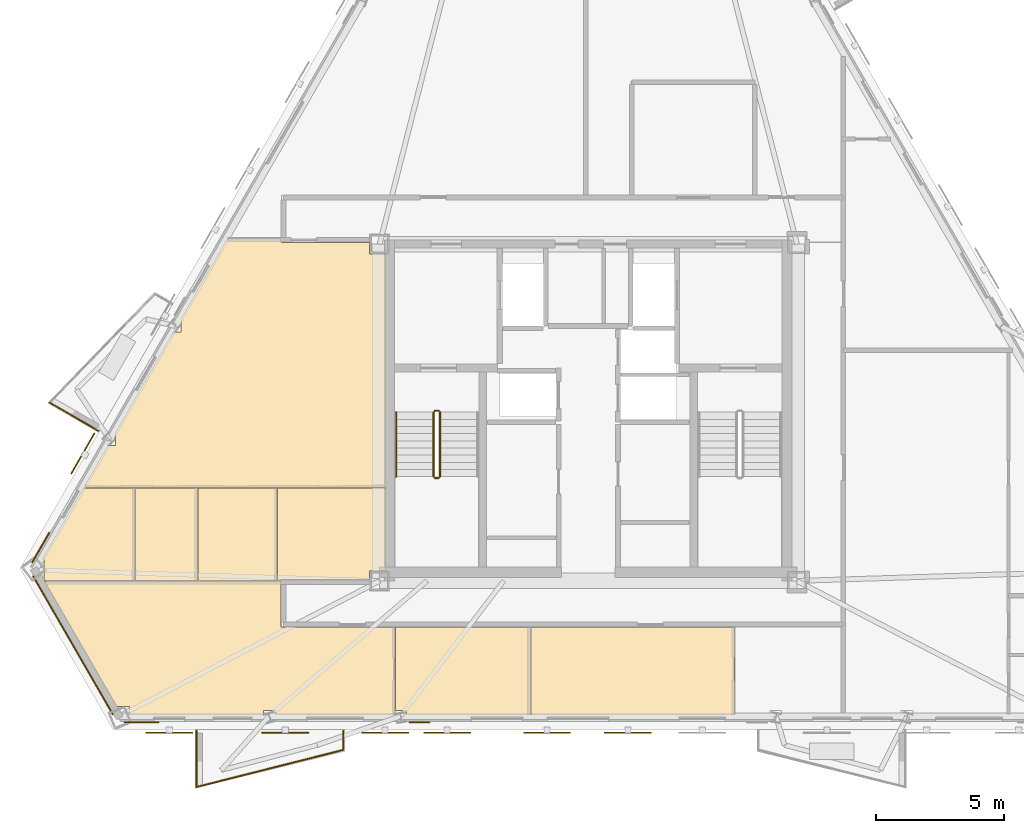
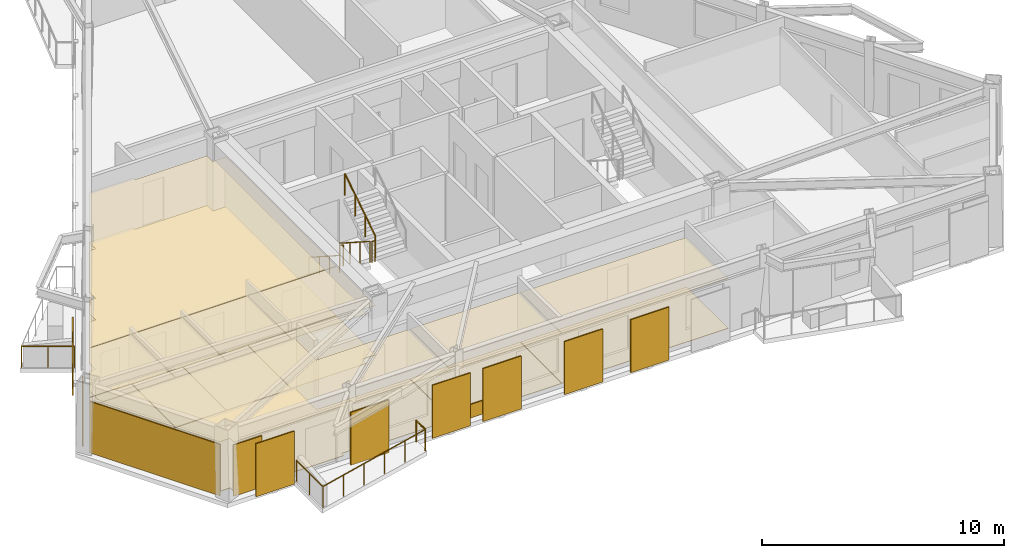
# One storey, part 6 of 8: 20 coverings, 9 railings, 7 shading devices.
"""IFC4 building model written with IfcOpenShell, lengths in metres."""

import ifcopenshell
import ifcopenshell.guid

model = None  # the IFC model being written
_history = None  # IfcOwnerHistory: only IFC2X3 demands one
_inside = {}  # id of a spatial element -> (the spatial element, [elements in it])
_under = {}  # id of a project, library or spatial element -> (it, [spatial elements below it])
_declared = {}  # id of a project -> (the project, [libraries it declares])
_typed = {}  # id of a type object -> (the type object, [elements of that type])
_made_of = {}  # id of a material, layer set ... -> (it, [elements and type objects made of it])


def new_model(schema):
    """Start an empty IFC model of exactly this schema.

    Asked for "IFC4X3", IfcOpenShell would pick the latest addendum, in which some entities
    have other attributes; the version numbers below select the first issue.
    IFC2X3 requires an IfcOwnerHistory on every rooted entity: one is made here for all.
    """
    global model, _history
    if schema == "IFC4X3":
        model = ifcopenshell.file(schema_version=(4, 3, 0, 0))
    else:
        model = ifcopenshell.file(schema=schema)
    _inside.clear()
    _under.clear()
    _declared.clear()
    _typed.clear()
    _made_of.clear()
    _history = None
    if model.schema == "IFC2X3":
        org = make("IfcOrganization", Name="unknown")
        user = make(
            "IfcPersonAndOrganization",
            ThePerson=make("IfcPerson", FamilyName="unknown"),
            TheOrganization=org,
        )
        app = make(
            "IfcApplication",
            ApplicationDeveloper=org,
            Version="unknown",
            ApplicationFullName="unknown",
            ApplicationIdentifier="unknown",
        )
        _history = make(
            "IfcOwnerHistory",
            OwningUser=user,
            OwningApplication=app,
            ChangeAction="ADDED",
            CreationDate=0,
        )
    return model


def make(cls, **values):
    """One entity of the class cls with the attributes given. An attribute that is None is left unset."""
    return model.create_entity(
        cls, **{name: value for name, value in values.items() if value is not None}
    )


def rooted(cls, **values):
    """An entity with a GlobalId (a new one), such as an element, a storey or a relation."""
    return make(cls, GlobalId=ifcopenshell.guid.new(), OwnerHistory=_history, **values)


def si_unit(unit_type, name, prefix=None):
    """IfcSIUnit, for example si_unit("LENGTHUNIT", "METRE", prefix="MILLI")."""
    return make("IfcSIUnit", UnitType=unit_type, Prefix=prefix, Name=name)


def assignment(units):
    """IfcUnitAssignment: the units of a project."""
    return None if units is None else make("IfcUnitAssignment", Units=units)


def point(xyz):
    """IfcCartesianPoint."""
    return None if xyz is None else make("IfcCartesianPoint", Coordinates=xyz)


def direction(xyz):
    """IfcDirection."""
    return None if xyz is None else make("IfcDirection", DirectionRatios=xyz)


def frame(location, z_axis=None, x_axis=None):
    """IfcAxis2Placement3D, a coordinate frame: its origin and axes. An axis left out is left unset."""
    return make(
        "IfcAxis2Placement3D",
        Location=point(location),
        Axis=direction(z_axis),
        RefDirection=direction(x_axis),
    )


def frame_2d(location, x_axis=None):
    """IfcAxis2Placement2D, a coordinate frame in the plane: its origin and x axis."""
    return make(
        "IfcAxis2Placement2D", Location=point(location), RefDirection=direction(x_axis)
    )


def origin():
    """The frame at (0, 0, 0) with its axes left unset."""
    return frame((0.0, 0.0, 0.0))


def origin_2d():
    """The frame at (0, 0) in the plane with its x axis left unset."""
    return frame_2d((0.0, 0.0))


def place(relative_to, where):
    """IfcLocalPlacement: puts the frame where relative to a parent placement (None: the world)."""
    return make(
        "IfcLocalPlacement", PlacementRelTo=relative_to, RelativePlacement=where
    )


def context(
    kind, dimensions, precision=None, world=None, true_north=None, identifier=None
):
    """IfcGeometricRepresentationContext, for example the 3D "Model" context."""
    return make(
        "IfcGeometricRepresentationContext",
        ContextIdentifier=identifier,
        ContextType=kind,
        CoordinateSpaceDimension=dimensions,
        Precision=precision,
        WorldCoordinateSystem=world,
        TrueNorth=true_north,
    )


def subcontext(parent, identifier, kind, view, scale=None):
    """IfcGeometricRepresentationSubContext, for example "Body" below "Model"."""
    return make(
        "IfcGeometricRepresentationSubContext",
        ContextIdentifier=identifier,
        ContextType=kind,
        ParentContext=parent,
        TargetScale=scale,
        TargetView=view,
    )


def project(units=None, contexts=None):
    """IfcProject with its units and contexts."""
    return rooted(
        "IfcProject",
        Name="project",
        RepresentationContexts=contexts,
        UnitsInContext=assignment(units),
    )


def spatial(cls, under=None, at=None, **own):
    """A site, building, storey or space (cls), placed at a placement, below another one or the project."""
    s = rooted(cls, ObjectPlacement=at, **own)
    if under is not None:
        _under.setdefault(under.id(), (under, []))[1].append(s)
    return s


def polyline(points):
    """IfcPolyline through the points."""
    return make("IfcPolyline", Points=[point(p) for p in points])


def profile(cls, at=None, kind="AREA", **sizes):
    """A parametric profile (cls). Its sizes go by their IFC names, for example OverallWidth=200.0."""
    return make(cls, ProfileType=kind, Position=at, **sizes)


def rectangle(**sizes):
    """IfcRectangleProfileDef."""
    return profile("IfcRectangleProfileDef", **sizes)


def circle(**sizes):
    """IfcCircleProfileDef."""
    return profile("IfcCircleProfileDef", **sizes)


def outline(outer, holes=None, kind="AREA"):
    """IfcArbitraryClosedProfileDef: a profile drawn as a closed curve; with holes, ...WithVoids."""
    if holes is None:
        return make("IfcArbitraryClosedProfileDef", ProfileType=kind, OuterCurve=outer)
    return make(
        "IfcArbitraryProfileDefWithVoids",
        ProfileType=kind,
        OuterCurve=outer,
        InnerCurves=holes,
    )


def extrude(swept, where, along, depth):
    """IfcExtrudedAreaSolid: the profile swept, set in the frame where, extruded along a direction by depth."""
    return make(
        "IfcExtrudedAreaSolid",
        SweptArea=swept,
        Position=where,
        ExtrudedDirection=direction(along),
        Depth=depth,
    )


def shape(context_of_items, identifier, shape_type, items):
    """IfcShapeRepresentation: the items that make up one representation, for example the "Body"."""
    return make(
        "IfcShapeRepresentation",
        ContextOfItems=context_of_items,
        RepresentationIdentifier=identifier,
        RepresentationType=shape_type,
        Items=items,
    )


def material(Name=None, Category=None):
    """IfcMaterial."""
    return make("IfcMaterial", Name=Name, Category=Category)


def layer(
    of_material, thickness, ventilated=None, Name=None, Category=None, Priority=None
):
    """IfcMaterialLayer: one layer of a wall or slab, of a material (None: an air gap)."""
    return make(
        "IfcMaterialLayer",
        Material=of_material,
        LayerThickness=thickness,
        IsVentilated=ventilated,
        Name=Name,
        Category=Category,
        Priority=Priority,
    )


def layer_set(layers, Name=None):
    """IfcMaterialLayerSet."""
    return make("IfcMaterialLayerSet", MaterialLayers=layers, LayerSetName=Name)


def made_of(thing, what):
    """Note that an element or type object is made of a material, layer set ...; save() writes the relation."""
    if what is not None:
        _made_of.setdefault(what.id(), (what, []))[1].append(thing)
    return thing


def type_object(cls, material=None, **own):
    """A type object (cls), such as IfcWallType, which elements share."""
    return made_of(rooted(cls, **own), material)


def element(
    cls,
    number,
    at=None,
    inside=None,
    cuts=None,
    type_object=None,
    material=None,
    context=None,
    identifier="Body",
    shape_type=None,
    held_by="IfcProductDefinitionShape",
    body=None,
    shapes=None,
    **own,
):
    """One element of the class cls, such as IfcWall. Its Tag is "e" and its number.

    at: its placement. inside: the storey or other place that contains it. cuts: it is an
    opening in that element (IfcRelVoidsElement). A single representation is given by context,
    identifier, shape_type and body (its items); several are given by shapes. held_by: the class
    of the entity that holds the representations. save() writes the other relations.
    """
    e = rooted(cls, Tag="e%d" % number, ObjectPlacement=at, **own)
    if body is not None:
        shapes = [shape(context, identifier, shape_type, body)]
    if shapes is not None:
        e.Representation = make(held_by, Representations=shapes)
    if inside is not None:
        _inside.setdefault(inside.id(), (inside, []))[1].append(e)
    if cuts is not None:
        rooted(
            "IfcRelVoidsElement", RelatingBuildingElement=cuts, RelatedOpeningElement=e
        )
    if type_object is not None:
        _typed.setdefault(type_object.id(), (type_object, []))[1].append(e)
    return made_of(e, material)


def aggregate(whole, parts):
    """IfcRelAggregates: a whole, such as a stair, and the parts it consists of."""
    return rooted("IfcRelAggregates", RelatingObject=whole, RelatedObjects=parts)


def save(model, path):
    """Write the relations noted so far, then the file.

    IfcRelAggregates (storeys below a building ...), IfcRelContainedInSpatialStructure (elements
    in a storey), IfcRelDefinesByType, IfcRelAssociatesMaterial and IfcRelDeclares: one each for
    every whole, place, type object, material and project.
    """
    for whole, parts in _under.values():
        aggregate(whole, parts)
    for where, things in _inside.values():
        rooted(
            "IfcRelContainedInSpatialStructure",
            RelatedElements=things,
            RelatingStructure=where,
        )
    for kind, things in _typed.values():
        rooted("IfcRelDefinesByType", RelatedObjects=things, RelatingType=kind)
    for what, things in _made_of.values():
        rooted("IfcRelAssociatesMaterial", RelatedObjects=things, RelatingMaterial=what)
    for by, libraries in _declared.values():
        rooted("IfcRelDeclares", RelatingContext=by, RelatedDefinitions=libraries)
    model.write(path)


model = new_model("IFC4")

# Units and contexts
model_context = context("Model", 3, precision=1e-05, world=origin(), true_north=direction((0.0, 1.0)))
body_context = subcontext(model_context, "Body", "Model", "MODEL_VIEW")
ifc_project = project(units=[si_unit("LENGTHUNIT", "METRE"), si_unit("AREAUNIT", "SQUARE_METRE"), si_unit("VOLUMEUNIT", "CUBIC_METRE"), si_unit("PLANEANGLEUNIT", "RADIAN"), si_unit("MASSUNIT", "GRAM", prefix="KILO")], contexts=[model_context])

# Site, building, storey
site_placement = place(None, origin())
site = spatial("IfcSite", under=ifc_project, at=site_placement, CompositionType="ELEMENT")
building_placement = place(site_placement, origin())
building = spatial("IfcBuilding", under=site, at=building_placement, Name="Oramaril Tower", CompositionType="ELEMENT")
storey_placement = place(building_placement, frame((0.0, 0.0, 216.300048828125)))
storey = spatial("IfcBuildingStorey", under=building, at=storey_placement, Name="L57", CompositionType="ELEMENT", Elevation=216.300048828125)

# Coverings
ifc_material_1 = material(Name="Mineral Fibre Acoustic Ceiling")
ifc_layer_1 = layer(ifc_material_1, 0.02001953125)
ifc_layer_set_1 = layer_set([ifc_layer_1], Name="CVT-CEIL")
covering_type_1 = type_object("IfcCoveringType", Name="CVT-CEIL", PredefinedType="CEILING", material=ifc_layer_set_1)
covering_1_placement = place(storey_placement, frame((0.0, 0.0, 2.511962890625)))
element("IfcCovering", 1, at=covering_1_placement, inside=storey, type_object=covering_type_1, Name="L57 Acoustic Suspended Ceiling 5", PredefinedType="CEILING", context=body_context, shape_type="SweptSolid", body=[
    extrude(outline(polyline([(29.95703125, 5.9375), (29.953857421875, 5.9375), (29.953857421875, 5.759765625), (25.28271484375, 5.759765625), (25.28271484375, 5.9375), (24.8251953125, 5.9375), (24.8251953125, 5.759765625), (19.580810546875, 5.759765625), (19.580810546875, 6.088134765625), (19.08349609375, 6.088134765625), (16.252197265625, 10.991943359375), (25.5, 10.991943359375), (25.5, 9.219970703125), (25.5, 9.218017578125), (25.50048828125, 9.216064453125), (25.5009765625, 9.214111328125), (25.50146484375, 9.21240234375), (25.50244140625, 9.210693359375), (25.50341796875, 9.208984375), (25.50439453125, 9.207275390625), (25.505859375, 9.205810546875), (25.50732421875, 9.20458984375), (25.5087890625, 9.203369140625), (25.510498046875, 9.202392578125), (25.51220703125, 9.201416015625), (25.51416015625, 9.200927734375), (25.51611328125, 9.200439453125), (25.51806640625, 9.2001953125), (25.52001953125, 9.199951171875), (29.95703125, 9.199951171875), (29.95703125, 5.9375)])), origin(), (0.0, 0.0, 1.0), 0.02001953125),
])
covering_2_placement = place(storey_placement, frame((0.0, 0.0, 2.511962890625)))
element("IfcCovering", 2, at=covering_2_placement, inside=storey, type_object=covering_type_1, Name="L57 Acoustic Suspended Ceiling 6", PredefinedType="CEILING", context=body_context, shape_type="SweptSolid", body=[
    extrude(outline(polyline([(30.40380859375, 5.759765625), (30.40380859375, 5.9375), (29.97705078125, 5.9375), (29.97705078125, 9.199951171875), (35.241943359375, 9.199951171875), (35.241943359375, 5.759765625), (30.40380859375, 5.759765625)])), origin(), (0.0, 0.0, 1.0), 0.02001953125),
])
covering_3_placement = place(storey_placement, frame((0.0, 0.0, 2.511962890625)))
element("IfcCovering", 3, at=covering_3_placement, inside=storey, type_object=covering_type_1, Name="L57 Acoustic Suspended Ceiling 7", PredefinedType="CEILING", context=body_context, shape_type="SweptSolid", body=[
    extrude(outline(polyline([(35.261962890625, 5.759765625), (35.261962890625, 9.199951171875), (43.20458984375, 9.199951171875), (43.20458984375, 5.759765625), (35.261962890625, 5.759765625)])), origin(), (0.0, 0.0, 1.0), 0.02001953125),
])
covering_4_placement = place(storey_placement, frame((0.0, 0.0, 2.511962890625)))
element("IfcCovering", 4, at=covering_4_placement, inside=storey, type_object=covering_type_1, Name="L57 Acoustic Suspended Ceiling 9", PredefinedType="CEILING", context=body_context, shape_type="SweptSolid", body=[
    extrude(outline(polyline([(28.955078125, 23.7548828125), (29.60009765625, 23.7548828125), (29.60009765625, 14.651611328125), (17.795654296875, 14.651611328125), (18.738525390625, 16.28466796875), (19.036865234375, 16.28466796875), (19.036865234375, 16.773193359375), (19.0205078125, 16.773193359375), (21.302734375, 20.726318359375), (21.60107421875, 20.726318359375), (21.60107421875, 21.2080078125), (21.5810546875, 21.2080078125), (23.40185546875, 24.362060546875), (25.5, 24.362060546875), (25.5, 24.239990234375), (25.5, 24.238037109375), (25.50048828125, 24.236083984375), (25.5009765625, 24.234130859375), (25.50146484375, 24.232421875), (25.50244140625, 24.230712890625), (25.50341796875, 24.22900390625), (25.50439453125, 24.227294921875), (25.505859375, 24.225830078125), (25.50732421875, 24.224609375), (25.5087890625, 24.223388671875), (25.510498046875, 24.222412109375), (25.51220703125, 24.221435546875), (25.51416015625, 24.220947265625), (25.51611328125, 24.220458984375), (25.51806640625, 24.22021484375), (25.52001953125, 24.219970703125), (28.955078125, 24.219970703125), (28.955078125, 23.7548828125)])), origin(), (0.0, 0.0, 1.0), 0.02001953125),
])
covering_5_placement = place(storey_placement, frame((0.0, 0.0, 2.511962890625)))
element("IfcCovering", 5, at=covering_5_placement, inside=storey, type_object=covering_type_1, Name="L57 Acoustic Suspended Ceiling 10", PredefinedType="CEILING", context=body_context, shape_type="SweptSolid", body=[
    extrude(outline(polyline([(16.214111328125, 11.05810546875), (16.256591796875, 11.05810546875), (16.256591796875, 11.855224609375), (16.18115234375, 11.855224609375), (17.78564453125, 14.63427734375), (17.7861328125, 14.634033203125), (17.787841796875, 14.63330078125), (17.789794921875, 14.632568359375), (17.791748046875, 14.632080078125), (17.793701171875, 14.631591796875), (17.795654296875, 14.631591796875), (19.80029296875, 14.631591796875), (19.80029296875, 11.011962890625), (16.252197265625, 11.011962890625), (16.250244140625, 11.011962890625), (16.248291015625, 11.01171875), (16.246337890625, 11.010986328125), (16.244384765625, 11.010498046875), (16.24267578125, 11.009521484375), (16.2421875, 11.00927734375), (16.214111328125, 11.05810546875)])), origin(), (0.0, 0.0, 1.0), 0.02001953125),
])
covering_6_placement = place(storey_placement, frame((0.0, 0.0, 2.511962890625)))
element("IfcCovering", 6, at=covering_6_placement, inside=storey, type_object=covering_type_1, Name="L57 Acoustic Suspended Ceiling 11", PredefinedType="CEILING", context=body_context, shape_type="SweptSolid", body=[
    extrude(outline(polyline([(22.2373046875, 11.011962890625), (19.8203125, 11.011962890625), (19.8203125, 14.631591796875), (22.2373046875, 14.631591796875), (22.2373046875, 11.011962890625)])), origin(), (0.0, 0.0, 1.0), 0.02001953125),
])
covering_7_placement = place(storey_placement, frame((0.0, 0.0, 2.511962890625)))
element("IfcCovering", 7, at=covering_7_placement, inside=storey, type_object=covering_type_1, Name="L57 Acoustic Suspended Ceiling 12", PredefinedType="CEILING", context=body_context, shape_type="SweptSolid", body=[
    extrude(outline(polyline([(25.3515625, 11.011962890625), (22.25732421875, 11.011962890625), (22.25732421875, 14.631591796875), (25.3515625, 14.631591796875), (25.3515625, 11.011962890625)])), origin(), (0.0, 0.0, 1.0), 0.02001953125),
])
covering_8_placement = place(storey_placement, frame((0.0, 0.0, 2.511962890625)))
element("IfcCovering", 8, at=covering_8_placement, inside=storey, type_object=covering_type_1, Name="L57 Acoustic Suspended Ceiling 13", PredefinedType="CEILING", context=body_context, shape_type="SweptSolid", body=[
    extrude(outline(polyline([(29.60009765625, 11.39501953125), (28.955078125, 11.39501953125), (28.955078125, 11.050048828125), (25.52001953125, 11.050048828125), (25.51806640625, 11.0498046875), (25.51611328125, 11.049560546875), (25.51416015625, 11.049072265625), (25.51220703125, 11.048583984375), (25.510498046875, 11.047607421875), (25.5087890625, 11.046630859375), (25.50732421875, 11.04541015625), (25.505859375, 11.044189453125), (25.50439453125, 11.042724609375), (25.50341796875, 11.041015625), (25.50244140625, 11.039306640625), (25.50146484375, 11.03759765625), (25.5009765625, 11.035888671875), (25.50048828125, 11.033935546875), (25.5, 11.031982421875), (25.5, 11.030029296875), (25.5, 11.011962890625), (25.37158203125, 11.011962890625), (25.37158203125, 14.631591796875), (29.60009765625, 14.631591796875), (29.60009765625, 11.39501953125)])), origin(), (0.0, 0.0, 1.0), 0.02001953125),
])
ifc_material_2 = material(Name="Warm Cream Limestone", Category="masonry")
ifc_layer_2 = layer(ifc_material_2, 0.050048828125)
ifc_layer_set_2 = layer_set([ifc_layer_2], Name="CVT-CLD")
covering_type_2 = type_object("IfcCoveringType", Name="CVT-CLD", PredefinedType="CLADDING", material=ifc_layer_set_2)
covering_9_placement = place(storey_placement, frame((17.38134765625, 8.484619140625, 0.0400390625), z_axis=(0.0, 0.0, 1.0), x_axis=(0.499992442484, -0.866029767075, 0.0)))
element("IfcCovering", 9, at=covering_9_placement, inside=storey, type_object=covering_type_2, Name="L57 Warm Cream Limestone Cladding", PredefinedType="CLADDING", context=body_context, shape_type="SweptSolid", body=[
    extrude(rectangle(XDim=6.23583984375, YDim=0.050048828125, at=origin_2d()), origin(), (0.0, 0.0, 1.0), 2.596923828125),
])
covering_10_placement = place(storey_placement, frame((20.060791015625, 5.483642578125, 0.0400390625), z_axis=(0.0, 0.0, 1.0), x_axis=(1.0, 0.0, 0.0)))
element("IfcCovering", 10, at=covering_10_placement, inside=storey, type_object=covering_type_2, Name="L57 Warm Cream Limestone Cladding", PredefinedType="CLADDING", context=body_context, shape_type="SweptSolid", body=[
    extrude(rectangle(XDim=1.35009765625, YDim=0.050048828125, at=origin_2d()), origin(), (0.0, 0.0, 1.0), 2.596923828125),
])
covering_11_placement = place(storey_placement, frame((30.916015625, 5.483642578125, 0.0400390625), z_axis=(0.0, 0.0, 1.0), x_axis=(1.0, 0.0, 0.0)))
element("IfcCovering", 11, at=covering_11_placement, inside=storey, type_object=covering_type_2, Name="L57 Warm Cream Limestone Spandrel Cladding", PredefinedType="CLADDING", context=body_context, shape_type="SweptSolid", body=[
    extrude(rectangle(XDim=0.800048828125, YDim=0.050048828125, at=origin_2d()), origin(), (0.0, 0.0, 1.0), 0.679931640625),
])
covering_12_placement = place(storey_placement, frame((16.122314453125, 12.305419921875, 0.0400390625), z_axis=(0.0, 0.0, 1.0), x_axis=(-0.500001511499, -0.866024531118, 0.0)))
element("IfcCovering", 12, at=covering_12_placement, inside=storey, type_object=covering_type_2, Name="L57 Warm Cream Limestone Cladding", PredefinedType="CLADDING", context=body_context, shape_type="SweptSolid", body=[
    extrude(rectangle(XDim=1.35009765625, YDim=0.050048828125, at=origin_2d()), origin(), (0.0, 0.0, 1.0), 2.596923828125),
])
ifc_material_3 = material(Name="Honed Quartzite Stone Flooring", Category="masonry")
ifc_layer_3 = layer(ifc_material_3, 0.02490234375)
ifc_layer_set_3 = layer_set([ifc_layer_3], Name="CVT-FLR")
covering_type_3 = type_object("IfcCoveringType", Name="CVT-FLR", PredefinedType="FLOORING", material=ifc_layer_set_3)
covering_13_placement = place(storey_placement, origin())
element("IfcCovering", 13, at=covering_13_placement, inside=storey, type_object=covering_type_3, Name="L57 Honed Stone Floor Finish 5", PredefinedType="FLOORING", context=body_context, shape_type="SweptSolid", body=[
    extrude(outline(polyline([(29.95703125, 5.9375), (29.953857421875, 5.9375), (29.953857421875, 5.759765625), (25.28271484375, 5.759765625), (25.28271484375, 5.9375), (24.8251953125, 5.9375), (24.8251953125, 5.759765625), (19.580810546875, 5.759765625), (19.580810546875, 6.088134765625), (19.08349609375, 6.088134765625), (16.252197265625, 10.991943359375), (25.5, 10.991943359375), (25.5, 9.219970703125), (25.5, 9.218017578125), (25.50048828125, 9.216064453125), (25.5009765625, 9.214111328125), (25.50146484375, 9.21240234375), (25.50244140625, 9.210693359375), (25.50341796875, 9.208984375), (25.50439453125, 9.207275390625), (25.505859375, 9.205810546875), (25.50732421875, 9.20458984375), (25.5087890625, 9.203369140625), (25.510498046875, 9.202392578125), (25.51220703125, 9.201416015625), (25.51416015625, 9.200927734375), (25.51611328125, 9.200439453125), (25.51806640625, 9.2001953125), (25.52001953125, 9.199951171875), (29.95703125, 9.199951171875), (29.95703125, 5.9375)])), origin(), (0.0, 0.0, 1.0), 0.02490234375),
])
covering_14_placement = place(storey_placement, origin())
element("IfcCovering", 14, at=covering_14_placement, inside=storey, type_object=covering_type_3, Name="L57 Honed Stone Floor Finish 6", PredefinedType="FLOORING", context=body_context, shape_type="SweptSolid", body=[
    extrude(outline(polyline([(30.40380859375, 5.759765625), (30.40380859375, 5.9375), (29.97705078125, 5.9375), (29.97705078125, 9.199951171875), (35.241943359375, 9.199951171875), (35.241943359375, 5.759765625), (30.40380859375, 5.759765625)])), origin(), (0.0, 0.0, 1.0), 0.02490234375),
])
covering_15_placement = place(storey_placement, origin())
element("IfcCovering", 15, at=covering_15_placement, inside=storey, type_object=covering_type_3, Name="L57 Honed Stone Floor Finish 7", PredefinedType="FLOORING", context=body_context, shape_type="SweptSolid", body=[
    extrude(outline(polyline([(35.261962890625, 5.759765625), (35.261962890625, 9.199951171875), (43.20458984375, 9.199951171875), (43.20458984375, 5.759765625), (35.261962890625, 5.759765625)])), origin(), (0.0, 0.0, 1.0), 0.02490234375),
])
covering_16_placement = place(storey_placement, origin())
element("IfcCovering", 16, at=covering_16_placement, inside=storey, type_object=covering_type_3, Name="L57 Honed Stone Floor Finish 9", PredefinedType="FLOORING", context=body_context, shape_type="SweptSolid", body=[
    extrude(outline(polyline([(28.955078125, 23.7548828125), (29.60009765625, 23.7548828125), (29.60009765625, 14.651611328125), (17.795654296875, 14.651611328125), (18.738525390625, 16.28466796875), (19.036865234375, 16.28466796875), (19.036865234375, 16.773193359375), (19.0205078125, 16.773193359375), (21.302734375, 20.726318359375), (21.60107421875, 20.726318359375), (21.60107421875, 21.2080078125), (21.5810546875, 21.2080078125), (23.40185546875, 24.362060546875), (25.5, 24.362060546875), (25.5, 24.239990234375), (25.5, 24.238037109375), (25.50048828125, 24.236083984375), (25.5009765625, 24.234130859375), (25.50146484375, 24.232421875), (25.50244140625, 24.230712890625), (25.50341796875, 24.22900390625), (25.50439453125, 24.227294921875), (25.505859375, 24.225830078125), (25.50732421875, 24.224609375), (25.5087890625, 24.223388671875), (25.510498046875, 24.222412109375), (25.51220703125, 24.221435546875), (25.51416015625, 24.220947265625), (25.51611328125, 24.220458984375), (25.51806640625, 24.22021484375), (25.52001953125, 24.219970703125), (28.955078125, 24.219970703125), (28.955078125, 23.7548828125)])), origin(), (0.0, 0.0, 1.0), 0.02490234375),
])
covering_17_placement = place(storey_placement, origin())
element("IfcCovering", 17, at=covering_17_placement, inside=storey, type_object=covering_type_3, Name="L57 Honed Stone Floor Finish 10", PredefinedType="FLOORING", context=body_context, shape_type="SweptSolid", body=[
    extrude(outline(polyline([(16.214111328125, 11.05810546875), (16.256591796875, 11.05810546875), (16.256591796875, 11.855224609375), (16.18115234375, 11.855224609375), (17.78564453125, 14.63427734375), (17.7861328125, 14.634033203125), (17.787841796875, 14.63330078125), (17.789794921875, 14.632568359375), (17.791748046875, 14.632080078125), (17.793701171875, 14.631591796875), (17.795654296875, 14.631591796875), (19.80029296875, 14.631591796875), (19.80029296875, 11.011962890625), (16.252197265625, 11.011962890625), (16.250244140625, 11.011962890625), (16.248291015625, 11.01171875), (16.246337890625, 11.010986328125), (16.244384765625, 11.010498046875), (16.24267578125, 11.009521484375), (16.2421875, 11.00927734375), (16.214111328125, 11.05810546875)])), origin(), (0.0, 0.0, 1.0), 0.02490234375),
])
covering_18_placement = place(storey_placement, origin())
element("IfcCovering", 18, at=covering_18_placement, inside=storey, type_object=covering_type_3, Name="L57 Honed Stone Floor Finish 11", PredefinedType="FLOORING", context=body_context, shape_type="SweptSolid", body=[
    extrude(outline(polyline([(22.2373046875, 11.011962890625), (19.8203125, 11.011962890625), (19.8203125, 14.631591796875), (22.2373046875, 14.631591796875), (22.2373046875, 11.011962890625)])), origin(), (0.0, 0.0, 1.0), 0.02490234375),
])
covering_19_placement = place(storey_placement, origin())
element("IfcCovering", 19, at=covering_19_placement, inside=storey, type_object=covering_type_3, Name="L57 Honed Stone Floor Finish 12", PredefinedType="FLOORING", context=body_context, shape_type="SweptSolid", body=[
    extrude(outline(polyline([(25.3515625, 11.011962890625), (22.25732421875, 11.011962890625), (22.25732421875, 14.631591796875), (25.3515625, 14.631591796875), (25.3515625, 11.011962890625)])), origin(), (0.0, 0.0, 1.0), 0.02490234375),
])
covering_20_placement = place(storey_placement, origin())
element("IfcCovering", 20, at=covering_20_placement, inside=storey, type_object=covering_type_3, Name="L57 Honed Stone Floor Finish 13", PredefinedType="FLOORING", context=body_context, shape_type="SweptSolid", body=[
    extrude(outline(polyline([(29.60009765625, 11.39501953125), (28.955078125, 11.39501953125), (28.955078125, 11.050048828125), (25.52001953125, 11.050048828125), (25.51806640625, 11.0498046875), (25.51611328125, 11.049560546875), (25.51416015625, 11.049072265625), (25.51220703125, 11.048583984375), (25.510498046875, 11.047607421875), (25.5087890625, 11.046630859375), (25.50732421875, 11.04541015625), (25.505859375, 11.044189453125), (25.50439453125, 11.042724609375), (25.50341796875, 11.041015625), (25.50244140625, 11.039306640625), (25.50146484375, 11.03759765625), (25.5009765625, 11.035888671875), (25.50048828125, 11.033935546875), (25.5, 11.031982421875), (25.5, 11.030029296875), (25.5, 11.011962890625), (25.37158203125, 11.011962890625), (25.37158203125, 14.631591796875), (29.60009765625, 14.631591796875), (29.60009765625, 11.39501953125)])), origin(), (0.0, 0.0, 1.0), 0.02490234375),
])

# Railings
ifc_material_4 = material(Name="Stainless Steel 316L", Category="steel")
railing_type_1 = type_object("IfcRailingType", Name="RLT-GRD", PredefinedType="GUARDRAIL", material=ifc_material_4)
railing_1_placement = place(storey_placement, frame((27.93505859375, 5.143798828125, 0.0)))
element("IfcRailing", 21, at=railing_1_placement, inside=storey, type_object=railing_type_1, Name="L57 Balcony Guardrail L57-BAL-S1.1", PredefinedType="GUARDRAIL", context=body_context, shape_type="SweptSolid", body=[
    extrude(circle(Radius=0.02392578125, at=origin_2d()), frame((0.0, 0.0, 1.076171875), z_axis=(0.0, -1.0, 0.0), x_axis=(1.0, 0.0, 0.0)), (0.0, 0.0, 1.0), 0.7421875),
    extrude(circle(Radius=0.02099609375, at=origin_2d()), origin(), (0.0, 0.0, 1.0), 1.052001953125),
    extrude(circle(Radius=0.02099609375, at=origin_2d()), frame((0.0, -0.7421875, 0.0)), (0.0, 0.0, 1.0), 1.052001953125),
])
railing_2_placement = place(storey_placement, frame((27.93505859375, 4.401611328125, 0.0)))
element("IfcRailing", 22, at=railing_2_placement, inside=storey, type_object=railing_type_1, Name="L57 Balcony Guardrail L57-BAL-S1.2", PredefinedType="GUARDRAIL", context=body_context, shape_type="SweptSolid", body=[
    extrude(circle(Radius=0.02392578125, at=origin_2d()), frame((0.0, 0.0, 1.076171875), z_axis=(-0.969443611257, -0.245314256807, 0.0), x_axis=(0.245314256807, -0.969443611257, 0.0)), (0.0, 0.0, 1.0), 5.91064453125),
    extrude(circle(Radius=0.02099609375, at=origin_2d()), origin(), (0.0, 0.0, 1.0), 1.052001953125),
    extrude(circle(Radius=0.02099609375, at=origin_2d()), frame((-1.14599609375, -0.2900390625, 0.0)), (0.0, 0.0, 1.0), 1.052001953125),
    extrude(circle(Radius=0.02099609375, at=origin_2d()), frame((-2.2919921875, -0.580078125, 0.0)), (0.0, 0.0, 1.0), 1.052001953125),
    extrude(circle(Radius=0.02099609375, at=origin_2d()), frame((-3.43798828125, -0.869873046875, 0.0)), (0.0, 0.0, 1.0), 1.052001953125),
    extrude(circle(Radius=0.02099609375, at=origin_2d()), frame((-4.583984375, -1.159912109375, 0.0)), (0.0, 0.0, 1.0), 1.052001953125),
    extrude(circle(Radius=0.02099609375, at=origin_2d()), frame((-5.72998046875, -1.449951171875, 0.0)), (0.0, 0.0, 1.0), 1.052001953125),
])
railing_3_placement = place(storey_placement, frame((22.205078125, 2.95166015625, 0.0)))
element("IfcRailing", 23, at=railing_3_placement, inside=storey, type_object=railing_type_1, Name="L57 Balcony Guardrail L57-BAL-S1.3", PredefinedType="GUARDRAIL", context=body_context, shape_type="SweptSolid", body=[
    extrude(circle(Radius=0.02392578125, at=origin_2d()), frame((0.0, 0.0, 1.076171875), z_axis=(0.0, 1.0, 0.0), x_axis=(-1.0, 0.0, 0.0)), (0.0, 0.0, 1.0), 2.192138671875),
    extrude(circle(Radius=0.02099609375, at=origin_2d()), origin(), (0.0, 0.0, 1.0), 1.052001953125),
    extrude(circle(Radius=0.02099609375, at=origin_2d()), frame((0.0, 1.09619140625, 0.0)), (0.0, 0.0, 1.0), 1.052001953125),
    extrude(circle(Radius=0.02099609375, at=origin_2d()), frame((0.0, 2.192138671875, 0.0)), (0.0, 0.0, 1.0), 1.052001953125),
])
railing_4_placement = place(storey_placement, frame((18.362548828125, 16.865478515625, 0.0)))
element("IfcRailing", 24, at=railing_4_placement, inside=storey, type_object=railing_type_1, Name="L57 Balcony Guardrail L57-BAL-NW2.1", PredefinedType="GUARDRAIL", context=body_context, shape_type="SweptSolid", body=[
    extrude(circle(Radius=0.02392578125, at=origin_2d()), frame((0.0, 0.0, 1.076171875), z_axis=(-0.866000118559, 0.500043792738, 0.0), x_axis=(-0.500043792738, -0.866000118559, 0.0)), (0.0, 0.0, 1.0), 2.192138671875),
    extrude(circle(Radius=0.02099609375, at=origin_2d()), origin(), (0.0, 0.0, 1.0), 1.052001953125),
    extrude(circle(Radius=0.02099609375, at=origin_2d()), frame((-0.94921875, 0.548095703125, 0.0)), (0.0, 0.0, 1.0), 1.052001953125),
    extrude(circle(Radius=0.02099609375, at=origin_2d()), frame((-1.8984375, 1.09619140625, 0.0)), (0.0, 0.0, 1.0), 1.052001953125),
])
railing_5_placement = place(storey_placement, frame((31.4599609375, 17.590087890625, 0.179931640625)))
element("IfcRailing", 25, at=railing_5_placement, inside=storey, type_object=railing_type_1, Name="L57 ST-1 stair guard 1", PredefinedType="GUARDRAIL", context=body_context, shape_type="SweptSolid", body=[
    extrude(circle(Radius=0.02392578125, at=origin_2d()), frame((0.0, 0.0, 1.076171875), z_axis=(0.0, -0.841162588446, 0.540782303519), x_axis=(1.0, 0.0, 0.0)), (0.0, 0.0, 1.0), 2.995849609375),
    extrude(circle(Radius=0.02099609375, at=origin_2d()), origin(), (0.0, 0.0, 1.0), 1.052001953125),
    extrude(circle(Radius=0.02099609375, at=origin_2d()), frame((0.0, -0.840087890625, 0.5400390625)), (0.0, 0.0, 1.0), 1.052001953125),
    extrude(circle(Radius=0.02099609375, at=origin_2d()), frame((0.0, -1.679931640625, 1.080078125)), (0.0, 0.0, 1.0), 1.052001953125),
    extrude(circle(Radius=0.02099609375, at=origin_2d()), frame((0.0, -2.52001953125, 1.6201171875)), (0.0, 0.0, 1.0), 1.052001953125),
])
railing_6_placement = place(storey_placement, frame((31.510009765625, 15.02001953125, 1.800048828125)))
element("IfcRailing", 26, at=railing_6_placement, inside=storey, type_object=railing_type_1, Name="L57 ST-1 stair guard 2", PredefinedType="GUARDRAIL", context=body_context, shape_type="SweptSolid", body=[
    extrude(circle(Radius=0.02392578125, at=origin_2d()), frame((0.0, 0.0, 1.076171875), z_axis=(1.0, 0.0, 0.0), x_axis=(0.0, 1.0, 0.0)), (0.0, 0.0, 1.0), 0.14990234375),
    extrude(circle(Radius=0.02099609375, at=origin_2d()), origin(), (0.0, 0.0, 1.0), 1.052001953125),
    extrude(circle(Radius=0.02099609375, at=origin_2d()), frame((0.14990234375, 0.0, 0.0)), (0.0, 0.0, 1.0), 1.052001953125),
])
railing_7_placement = place(storey_placement, frame((31.7099609375, 15.070068359375, 1.97998046875)))
element("IfcRailing", 27, at=railing_7_placement, inside=storey, type_object=railing_type_1, Name="L57 ST-1 stair guard 3", PredefinedType="GUARDRAIL", context=body_context, shape_type="SweptSolid", body=[
    extrude(circle(Radius=0.02392578125, at=origin_2d()), frame((0.0, 0.0, 1.076171875), z_axis=(0.0, 0.841199657755, 0.540724639528), x_axis=(-1.0, 0.0, 0.0)), (0.0, 0.0, 1.0), 2.995849609375),
    extrude(circle(Radius=0.02099609375, at=origin_2d()), origin(), (0.0, 0.0, 1.0), 1.052001953125),
    extrude(circle(Radius=0.02099609375, at=origin_2d()), frame((0.0, 0.840087890625, 0.5400390625)), (0.0, 0.0, 1.0), 1.052001953125),
    extrude(circle(Radius=0.02099609375, at=origin_2d()), frame((0.0, 1.679931640625, 1.079833984375)), (0.0, 0.0, 1.0), 1.052001953125),
    extrude(circle(Radius=0.02099609375, at=origin_2d()), frame((0.0, 2.52001953125, 1.619873046875)), (0.0, 0.0, 1.0), 1.052001953125),
])
railing_8_placement = place(storey_placement, frame((31.510009765625, 17.639892578125, 0.0)))
element("IfcRailing", 28, at=railing_8_placement, inside=storey, type_object=railing_type_1, Name="L57 ST-1 stair guard 4", PredefinedType="GUARDRAIL", context=body_context, shape_type="SweptSolid", body=[
    extrude(circle(Radius=0.02392578125, at=origin_2d()), frame((0.0, 0.0, 1.076171875), z_axis=(1.0, 0.0, 0.0), x_axis=(0.0, 1.0, 0.0)), (0.0, 0.0, 1.0), 0.14990234375),
    extrude(circle(Radius=0.02099609375, at=origin_2d()), origin(), (0.0, 0.0, 1.0), 1.052001953125),
    extrude(circle(Radius=0.02099609375, at=origin_2d()), frame((0.14990234375, 0.0, 0.0)), (0.0, 0.0, 1.0), 1.052001953125),
])
ifc_material_5 = material(Name="Stainless Steel 316L", Category="steel")
railing_type_2 = type_object("IfcRailingType", Name="RLT-HND", PredefinedType="HANDRAIL", material=ifc_material_5)
railing_9_placement = place(storey_placement, frame((30.0, 17.590087890625, 0.179931640625)))
element("IfcRailing", 29, at=railing_9_placement, inside=storey, type_object=railing_type_2, Name="L57 ST-1 stair handrail 1", PredefinedType="HANDRAIL", context=body_context, shape_type="SweptSolid", body=[
    extrude(circle(Radius=0.02392578125, at=origin_2d()), frame((0.0, 0.0, 0.8759765625), z_axis=(0.0, -0.841162588446, 0.540782303519), x_axis=(1.0, 0.0, 0.0)), (0.0, 0.0, 1.0), 2.995849609375),
    extrude(circle(Radius=0.02099609375, at=origin_2d()), origin(), (0.0, 0.0, 1.0), 0.851806640625),
    extrude(circle(Radius=0.02099609375, at=origin_2d()), frame((0.0, -0.840087890625, 0.5400390625)), (0.0, 0.0, 1.0), 0.851806640625),
    extrude(circle(Radius=0.02099609375, at=origin_2d()), frame((0.0, -1.679931640625, 1.080078125)), (0.0, 0.0, 1.0), 0.851806640625),
    extrude(circle(Radius=0.02099609375, at=origin_2d()), frame((0.0, -2.52001953125, 1.6201171875)), (0.0, 0.0, 1.0), 0.851806640625),
])

# Shading devices
for number, where, z_axis, x_axis, name in (
    (30, (21.141357421875, 5.07177734375, -0.02001953125), (0.0, 0.0, 1.0), (1.0, 0.0, 0.0), "L57 Perforated Ceramic Solar Screen"),
    (31, (25.664794921875, 5.07177734375, -0.02001953125), (0.0, 0.0, 1.0), (1.0, 0.0, 0.0), "L57 Perforated Ceramic Solar Screen"),
    (32, (29.564697265625, 5.07177734375, -0.02001953125), (0.0, 0.0, 1.0), (1.0, 0.0, 0.0), "L57 Perforated Ceramic Solar Screen"),
    (33, (31.987060546875, 5.07177734375, -0.02001953125), (0.0, 0.0, 1.0), (1.0, 0.0, 0.0), "L57 Perforated Ceramic Solar Screen"),
    (34, (35.886962890625, 5.07177734375, -0.02001953125), (0.0, 0.0, 1.0), (1.0, 0.0, 0.0), "L57 Perforated Ceramic Solar Screen"),
    (35, (39.0478515625, 5.07177734375, -0.02001953125), (0.0, 0.0, 1.0), (1.0, 0.0, 0.0), "L57 Perforated Ceramic Solar Screen"),
    (36, (17.764892578125, 15.97412109375, -0.02001953125), (0.0, 0.0, 1.0), (-0.500001511499, -0.866024531118, 0.0), "L57 Perforated Ceramic Solar Screen"),
):
    element("IfcShadingDevice", number, at=place(storey_placement, frame(where, z_axis=z_axis, x_axis=x_axis)), inside=storey, Name=name, ObjectType="SCREEN", PredefinedType="USERDEFINED", context=body_context, shape_type="SweptSolid", body=[
        extrude(rectangle(XDim=1.8330078125, YDim=0.050048828125, at=origin_2d()), origin(), (0.0, 0.0, 1.0), 2.677001953125),
    ])

save(model, "model.ifc")
